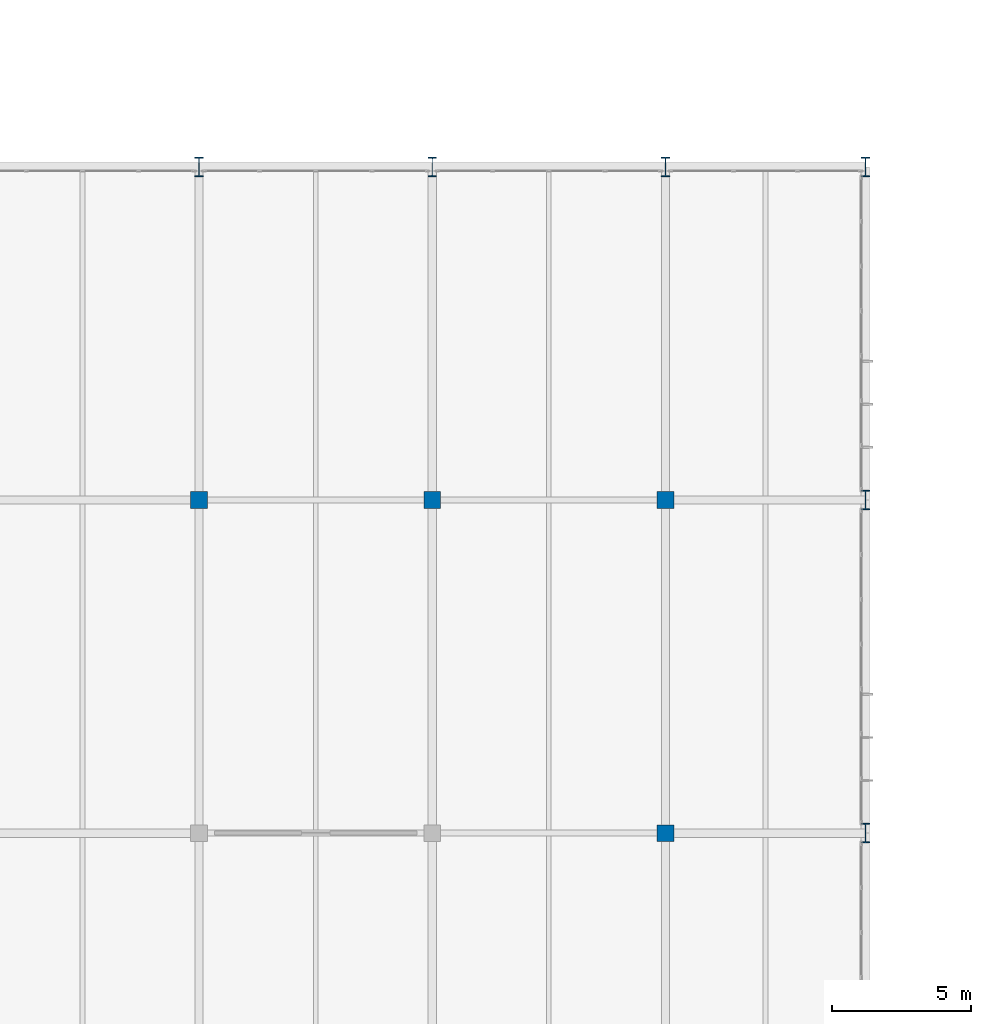
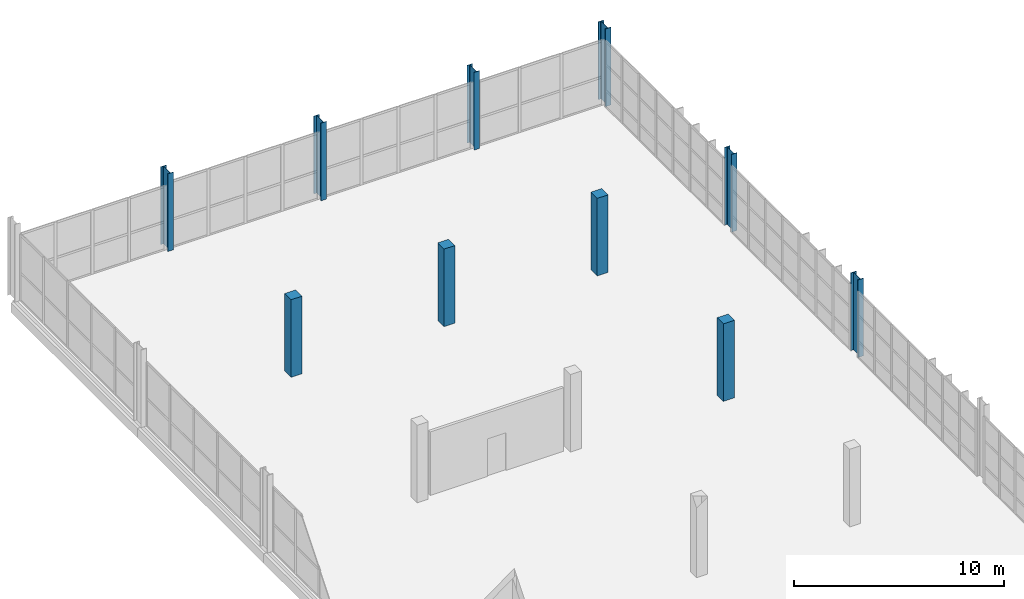
# One storey, part 12 of 113: 10 columns.
"""IFC4 building model written with IfcOpenShell, lengths in metres."""

from ifc_helpers import new_model, si_unit, direction, frame, origin, origin_2d, place, context, subcontext, project, spatial, rectangle, i_section, extrude, material, material_profile, profile_set, type_object, element, save


model = new_model("IFC4")

# Units and contexts
model_context = context("Model", 3, precision=1e-05, world=origin(), true_north=direction((0.0, 1.0)))
body_context = subcontext(model_context, "Body", "Model", "MODEL_VIEW")
ifc_project = project(units=[si_unit("LENGTHUNIT", "METRE"), si_unit("AREAUNIT", "SQUARE_METRE"), si_unit("VOLUMEUNIT", "CUBIC_METRE"), si_unit("PLANEANGLEUNIT", "RADIAN"), si_unit("MASSUNIT", "GRAM", prefix="KILO")], contexts=[model_context])

# Site, building, storey
site_placement = place(None, origin())
site = spatial("IfcSite", under=ifc_project, at=site_placement, CompositionType="ELEMENT")
building_placement = place(site_placement, origin())
building = spatial("IfcBuilding", under=site, at=building_placement, Name="Veltarok Museum of Natural Sciences", CompositionType="ELEMENT")
storey_placement = place(building_placement, frame((0.0, 0.0, 8.39990234375)))
storey = spatial("IfcBuildingStorey", under=building, at=storey_placement, Name="L01", CompositionType="ELEMENT", Elevation=8.39990234375)

# Columns
ifc_material_1 = material(Name="Concrete C40/50", Category="concrete")
ifc_material_profile_1 = material_profile(ifc_material_1, rectangle(XDim=0.60009765625, YDim=0.60009765625, at=origin_2d()), Name="RC 600x600")
ifc_profile_set_1 = profile_set([ifc_material_profile_1], Name="Concrete C40/50")
column_type_1 = type_object("IfcColumnType", Name="Conservation Wing Column RC 600x600", PredefinedType="COLUMN", material=ifc_profile_set_1)
for number, where, z_axis, x_axis, name in (
    (1, (140.800048828125, 60.0, 0.0), (0.0, 0.0, 1.0), (1.0, 0.0, 0.0), "Column COL-RC02 L01 17/G"),
    (2, (149.199951171875, 60.0, 0.0), (0.0, 0.0, 1.0), (1.0, 0.0, 0.0), "Column COL-RC02 L01 18/G"),
    (3, (157.60009765625, 48.0, 0.0), (0.0, 0.0, 1.0), (1.0, 0.0, 0.0), "Column COL-RC02 L01 19/F"),
    (4, (157.60009765625, 60.0, 0.0), (0.0, 0.0, 1.0), (1.0, 0.0, 0.0), "Column COL-RC02 L01 19/G"),
):
    element("IfcColumn", number, at=place(storey_placement, frame(where, z_axis=z_axis, x_axis=x_axis)), inside=storey, type_object=column_type_1, Name=name, PredefinedType="COLUMN", context=body_context, shape_type="SweptSolid", body=[
        extrude(rectangle(XDim=0.60009765625, YDim=0.60009765625, at=origin_2d()), origin(), (0.0, 0.0, 1.0), 4.5),
    ])
ifc_material_2 = material(Name="Steel S355J2", Category="steel")
ifc_material_profile_2 = material_profile(ifc_material_2, i_section(OverallWidth=0.300048828125, OverallDepth=0.699951171875, WebThickness=0.01708984375, FlangeThickness=0.031982421875, FilletRadius=0.027099609375, at=origin_2d()), Name="HEB 700")
ifc_profile_set_2 = profile_set([ifc_material_profile_2], Name="Steel S355J2")
column_type_2 = type_object("IfcColumnType", Name="Perimeter Steel Column HEB 700", PredefinedType="COLUMN", material=ifc_profile_set_2)
for number, where, z_axis, x_axis, name in (
    (5, (140.800048828125, 72.0, 0.0), (0.0, 0.0, 1.0), (1.0, 0.0, 0.0), "Column COL-EXT01 L01 17/H"),
    (6, (149.199951171875, 72.0, 0.0), (0.0, 0.0, 1.0), (1.0, 0.0, 0.0), "Column COL-EXT01 L01 18/H"),
    (7, (157.60009765625, 72.0, 0.0), (0.0, 0.0, 1.0), (1.0, 0.0, 0.0), "Column COL-EXT01 L01 19/H"),
    (8, (164.800048828125, 48.0, 0.0), (0.0, 0.0, 1.0), (1.0, 0.0, 0.0), "Column COL-EXT01 L01 20/F"),
    (9, (164.800048828125, 60.0, 0.0), (0.0, 0.0, 1.0), (1.0, 0.0, 0.0), "Column COL-EXT01 L01 20/G"),
    (10, (164.800048828125, 72.0, 0.0), (0.0, 0.0, 1.0), (1.0, 0.0, 0.0), "Column COL-EXT01 L01 20/H"),
):
    element("IfcColumn", number, at=place(storey_placement, frame(where, z_axis=z_axis, x_axis=x_axis)), inside=storey, type_object=column_type_2, Name=name, PredefinedType="COLUMN", context=body_context, shape_type="SweptSolid", body=[
        extrude(i_section(OverallWidth=0.300048828125, OverallDepth=0.699951171875, WebThickness=0.01708984375, FlangeThickness=0.031982421875, FilletRadius=0.027099609375, at=origin_2d()), origin(), (0.0, 0.0, 1.0), 4.5),
    ])

save(model, "model.ifc")
